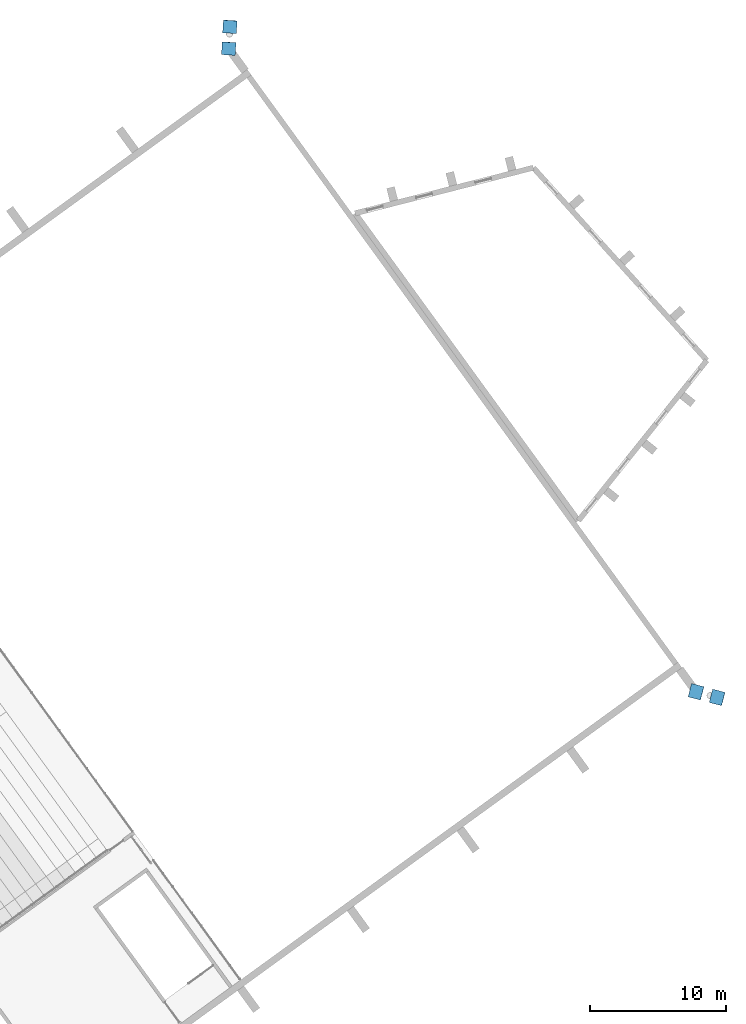
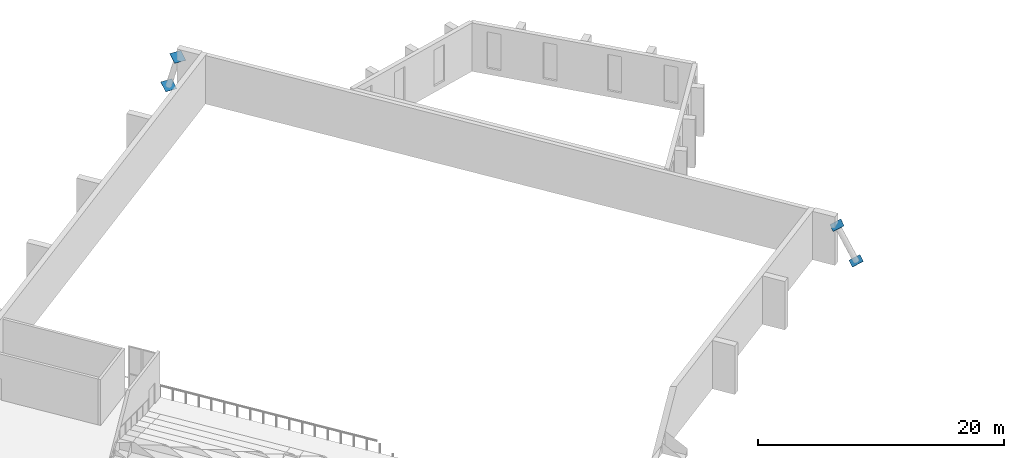
# One storey, part 158 of 182: 4 discrete accessories.
"""IFC4 building model written with IfcOpenShell, lengths in metres."""

from ifc_helpers import new_model, si_unit, direction, frame, origin, origin_2d, place, context, subcontext, project, spatial, rectangle, extrude, material, layer, layer_set, type_object, element, save


model = new_model("IFC4")

# Units and contexts
model_context = context("Model", 3, precision=1e-05, world=origin(), true_north=direction((0.0, 1.0)))
body_context = subcontext(model_context, "Body", "Model", "MODEL_VIEW")
ifc_project = project(units=[si_unit("LENGTHUNIT", "METRE"), si_unit("AREAUNIT", "SQUARE_METRE"), si_unit("VOLUMEUNIT", "CUBIC_METRE"), si_unit("PLANEANGLEUNIT", "RADIAN"), si_unit("MASSUNIT", "GRAM", prefix="KILO")], contexts=[model_context])

# Site, building, storey
site_placement = place(None, origin())
site = spatial("IfcSite", under=ifc_project, at=site_placement, CompositionType="ELEMENT")
building_placement = place(site_placement, origin())
building = spatial("IfcBuilding", under=site, at=building_placement, Name="Okhra Congress Centre", CompositionType="ELEMENT")
storey_placement = place(building_placement, frame((0.0, 0.0, 7.199951171875)))
storey = spatial("IfcBuildingStorey", under=building, at=storey_placement, Name="L01", CompositionType="ELEMENT", Elevation=7.199951171875)

# Discrete accessories
ifc_material = material(Name="Steel S355J2", Category="steel")
ifc_layer = layer(ifc_material, 0.02001953125)
ifc_layer_set = layer_set([ifc_layer], Name="Brace end connection plate 20 mm S355")
discrete_accessory_type = type_object("IfcDiscreteAccessoryType", Name="Brace end connection plate 20 mm S355", PredefinedType="BRACKET", material=ifc_layer_set)
for number, where, z_axis, x_axis, name in (
    (1, (281.2509765625, 189.1015625, 0.0), (0.380146390481, -0.098102294318, -0.919709009227), (0.249878019022, 0.968277323709, 0.0), "Brace end connection plate"),
    (2, (279.703369140625, 189.515380859375, 3.800048828125), (-0.380146390481, 0.098102294318, 0.919709009227), (-0.249878019022, -0.968277323709, 0.0), "Brace end connection plate"),
    (3, (245.343994140625, 238.523193359375, 0.0), (0.024520043366, 0.392320693859, -0.919501626232), (-0.998052578483, 0.062378286155, 0.0), "Brace end connection plate"),
):
    element("IfcDiscreteAccessory", number, at=place(storey_placement, frame(where, z_axis=z_axis, x_axis=x_axis)), inside=storey, type_object=discrete_accessory_type, Name=name, PredefinedType="BRACKET", context=body_context, shape_type="SweptSolid", body=[
        extrude(rectangle(XDim=1.01611328125, YDim=1.01611328125, at=origin_2d()), origin(), (0.0, 0.0, 1.0), 0.02001953125),
    ])
discrete_accessory_placement = place(storey_placement, frame((245.25927734375, 236.923583984375, 3.800048828125), z_axis=(-0.024636969642, -0.381873029451, 0.923886361575), x_axis=(0.997925308968, -0.064382277998, 0.0)))
element("IfcDiscreteAccessory", 4, at=discrete_accessory_placement, inside=storey, type_object=discrete_accessory_type, Name="Brace end connection plate", PredefinedType="BRACKET", context=body_context, shape_type="SweptSolid", body=[
    extrude(rectangle(XDim=1.01611328125, YDim=1.01611328125, at=origin_2d()), origin(), (0.0, 0.0, 1.0), 0.019775390625),
])

save(model, "model.ifc")
